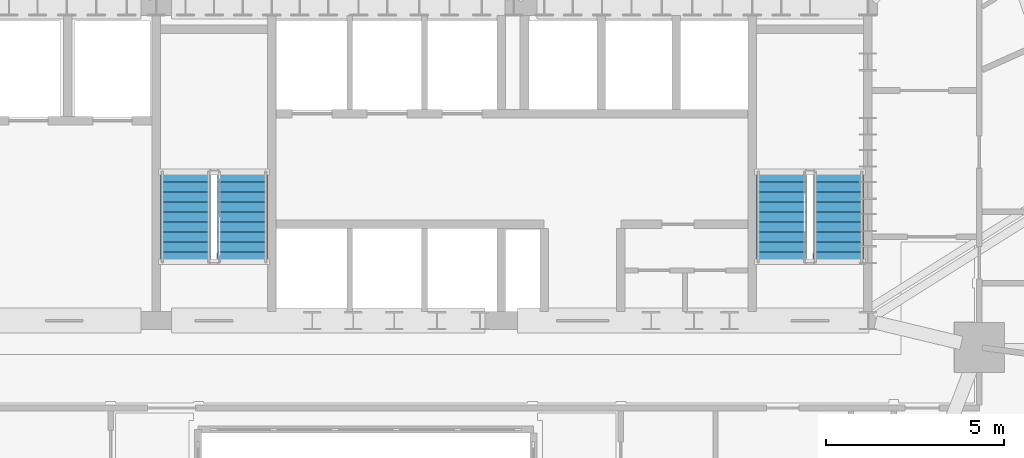
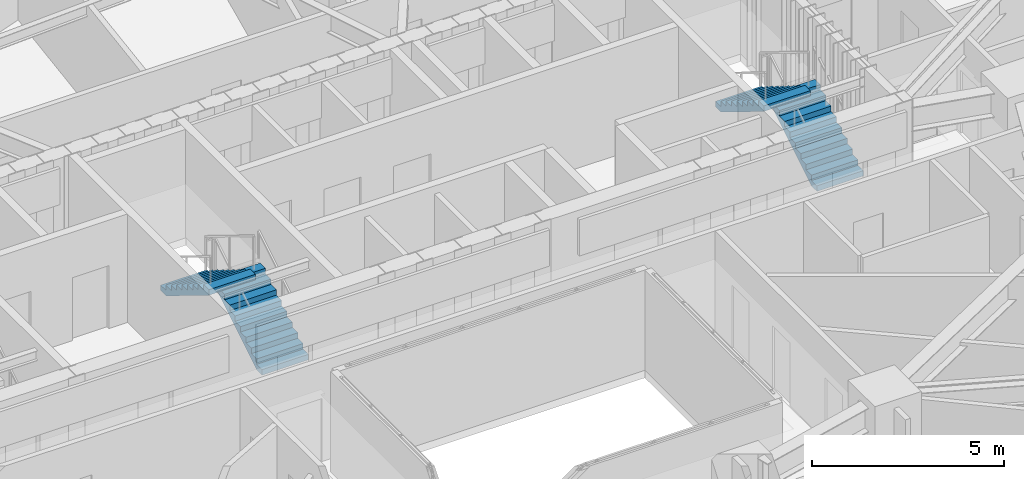
# One storey, part 12 of 15: 4 stair flights, 2 elements without a shape of their own.
"""IFC4 building model written with IfcOpenShell, lengths in metres."""

from ifc_helpers import new_model, si_unit, direction, frame, origin, place, context, subcontext, project, spatial, polyline, outline, extrude, material, type_object, element, aggregate, save


model = new_model("IFC4")

# Units and contexts
model_context = context("Model", 3, precision=1e-05, world=origin(), true_north=direction((0.0, 1.0)))
body_context = subcontext(model_context, "Body", "Model", "MODEL_VIEW")
ifc_project = project(units=[si_unit("LENGTHUNIT", "METRE"), si_unit("AREAUNIT", "SQUARE_METRE"), si_unit("VOLUMEUNIT", "CUBIC_METRE"), si_unit("PLANEANGLEUNIT", "RADIAN"), si_unit("MASSUNIT", "GRAM", prefix="KILO")], contexts=[model_context])

# Site, building, storey
site_placement = place(None, origin())
site = spatial("IfcSite", under=ifc_project, at=site_placement, CompositionType="ELEMENT")
building_placement = place(site_placement, origin())
building = spatial("IfcBuilding", under=site, at=building_placement, Name="Haldorwick Loom Tower", CompositionType="ELEMENT")
storey_placement = place(building_placement, frame((0.0, 0.0, 85.25)))
storey = spatial("IfcBuildingStorey", under=building, at=storey_placement, Name="L22", CompositionType="ELEMENT", Elevation=85.25)

# Stair, stair flights
ifc_material = material(Name="Concrete C40 (40 MPa)", Category="concrete")
stair_type = type_object("IfcStairType", Name="STR-STR-CORE", PredefinedType="HALF_TURN_STAIR", material=ifc_material)
stair_1_placement = place(storey_placement, origin())
stair_1 = element("IfcStair", 1, at=stair_1_placement, inside=storey, type_object=stair_type, Name="L22 Exit Stair ST-02", PredefinedType="HALF_TURN_STAIR")
stair_flight_type = type_object("IfcStairFlightType", Name="STR-STF-1250", PredefinedType="STRAIGHT", material=ifc_material)
stair_flight_1_placement = place(storey_placement, frame((49.25, 28.39990234375, 0.0), z_axis=(0.0, 0.0, 1.0), x_axis=(0.0, 1.0, 0.0)))
stair_flight_1 = element("IfcStairFlight", 2, at=stair_flight_1_placement, type_object=stair_flight_type, Name="ST-02 flight 1", NumberOfRisers=10, NumberOfTreads=9, PredefinedType="STRAIGHT", RiserHeight=0.1725, TreadLength=0.28, context=body_context, shape_type="SweptSolid", body=[
    extrude(outline(polyline([(0.0, 0.0), (0.0, 0.172607421875), (0.280029296875, 0.172607421875), (0.280029296875, 0.344970703125), (0.56005859375, 0.344970703125), (0.56005859375, 0.517578125), (0.840087890625, 0.517578125), (0.840087890625, 0.68994140625), (1.1201171875, 0.68994140625), (1.1201171875, 0.862548828125), (1.39990234375, 0.862548828125), (1.39990234375, 1.034912109375), (1.679931640625, 1.034912109375), (1.679931640625, 1.20751953125), (1.9599609375, 1.20751953125), (1.9599609375, 1.3798828125), (2.239990234375, 1.3798828125), (2.239990234375, 1.552490234375), (2.52001953125, 1.552490234375), (2.52001953125, 1.72509765625), (2.52001953125, 1.37646484375), (0.285888671875, 0.0), (0.0, 0.0)])), frame((0.0, 0.699951171875, 0.0), z_axis=(0.0, -1.0, 0.0), x_axis=(1.0, 0.0, 0.0)), (0.0, 0.0, 1.0), 1.39990234375),
])
stair_flight_2_placement = place(storey_placement, frame((47.64990234375, 30.919921875, 1.72509765625), z_axis=(0.0, 0.0, 1.0), x_axis=(0.0, -1.0, 0.0)))
stair_flight_2 = element("IfcStairFlight", 3, at=stair_flight_2_placement, type_object=stair_flight_type, Name="ST-02 flight 2", NumberOfRisers=10, NumberOfTreads=9, PredefinedType="STRAIGHT", RiserHeight=0.1725, TreadLength=0.28, context=body_context, shape_type="SweptSolid", body=[
    extrude(outline(polyline([(0.0, 0.0), (0.0, 0.172607421875), (0.280029296875, 0.172607421875), (0.280029296875, 0.344970703125), (0.56005859375, 0.344970703125), (0.56005859375, 0.517578125), (0.840087890625, 0.517578125), (0.840087890625, 0.68994140625), (1.1201171875, 0.68994140625), (1.1201171875, 0.862548828125), (1.39990234375, 0.862548828125), (1.39990234375, 1.034912109375), (1.679931640625, 1.034912109375), (1.679931640625, 1.20751953125), (1.9599609375, 1.20751953125), (1.9599609375, 1.3798828125), (2.239990234375, 1.3798828125), (2.239990234375, 1.552490234375), (2.52001953125, 1.552490234375), (2.52001953125, 1.72509765625), (2.52001953125, 1.37646484375), (0.285888671875, 0.0), (0.0, 0.0)])), frame((0.0, 0.699951171875, 0.0), z_axis=(0.0, -1.0, 0.0), x_axis=(1.0, 0.0, 0.0)), (0.0, 0.0, 1.0), 1.39990234375),
])
aggregate(stair_1, [stair_flight_1, stair_flight_2])

stair_2_placement = place(storey_placement, origin())
stair_2 = element("IfcStair", 4, at=stair_2_placement, inside=storey, type_object=stair_type, Name="L22 Exit Stair ST-03", PredefinedType="HALF_TURN_STAIR")
stair_flight_3_placement = place(storey_placement, frame((32.550048828125, 28.39990234375, 0.0), z_axis=(0.0, 0.0, 1.0), x_axis=(0.0, 1.0, 0.0)))
stair_flight_3 = element("IfcStairFlight", 5, at=stair_flight_3_placement, type_object=stair_flight_type, Name="ST-03 flight 1", NumberOfRisers=10, NumberOfTreads=9, PredefinedType="STRAIGHT", RiserHeight=0.1725, TreadLength=0.28, context=body_context, shape_type="SweptSolid", body=[
    extrude(outline(polyline([(0.0, 0.0), (0.0, 0.172607421875), (0.280029296875, 0.172607421875), (0.280029296875, 0.344970703125), (0.56005859375, 0.344970703125), (0.56005859375, 0.517578125), (0.840087890625, 0.517578125), (0.840087890625, 0.68994140625), (1.1201171875, 0.68994140625), (1.1201171875, 0.862548828125), (1.39990234375, 0.862548828125), (1.39990234375, 1.034912109375), (1.679931640625, 1.034912109375), (1.679931640625, 1.20751953125), (1.9599609375, 1.20751953125), (1.9599609375, 1.3798828125), (2.239990234375, 1.3798828125), (2.239990234375, 1.552490234375), (2.52001953125, 1.552490234375), (2.52001953125, 1.72509765625), (2.52001953125, 1.37646484375), (0.285888671875, 0.0), (0.0, 0.0)])), frame((0.0, 0.699951171875, 0.0), z_axis=(0.0, -1.0, 0.0), x_axis=(1.0, 0.0, 0.0)), (0.0, 0.0, 1.0), 1.39990234375),
])
stair_flight_4_placement = place(storey_placement, frame((30.949951171875, 30.919921875, 1.72509765625), z_axis=(0.0, 0.0, 1.0), x_axis=(0.0, -1.0, 0.0)))
stair_flight_4 = element("IfcStairFlight", 6, at=stair_flight_4_placement, type_object=stair_flight_type, Name="ST-03 flight 2", NumberOfRisers=10, NumberOfTreads=9, PredefinedType="STRAIGHT", RiserHeight=0.1725, TreadLength=0.28, context=body_context, shape_type="SweptSolid", body=[
    extrude(outline(polyline([(0.0, 0.0), (0.0, 0.172607421875), (0.280029296875, 0.172607421875), (0.280029296875, 0.344970703125), (0.56005859375, 0.344970703125), (0.56005859375, 0.517578125), (0.840087890625, 0.517578125), (0.840087890625, 0.68994140625), (1.1201171875, 0.68994140625), (1.1201171875, 0.862548828125), (1.39990234375, 0.862548828125), (1.39990234375, 1.034912109375), (1.679931640625, 1.034912109375), (1.679931640625, 1.20751953125), (1.9599609375, 1.20751953125), (1.9599609375, 1.3798828125), (2.239990234375, 1.3798828125), (2.239990234375, 1.552490234375), (2.52001953125, 1.552490234375), (2.52001953125, 1.72509765625), (2.52001953125, 1.37646484375), (0.285888671875, 0.0), (0.0, 0.0)])), frame((0.0, 0.699951171875, 0.0), z_axis=(0.0, -1.0, 0.0), x_axis=(1.0, 0.0, 0.0)), (0.0, 0.0, 1.0), 1.39990234375),
])
aggregate(stair_2, [stair_flight_3, stair_flight_4])

save(model, "model.ifc")
